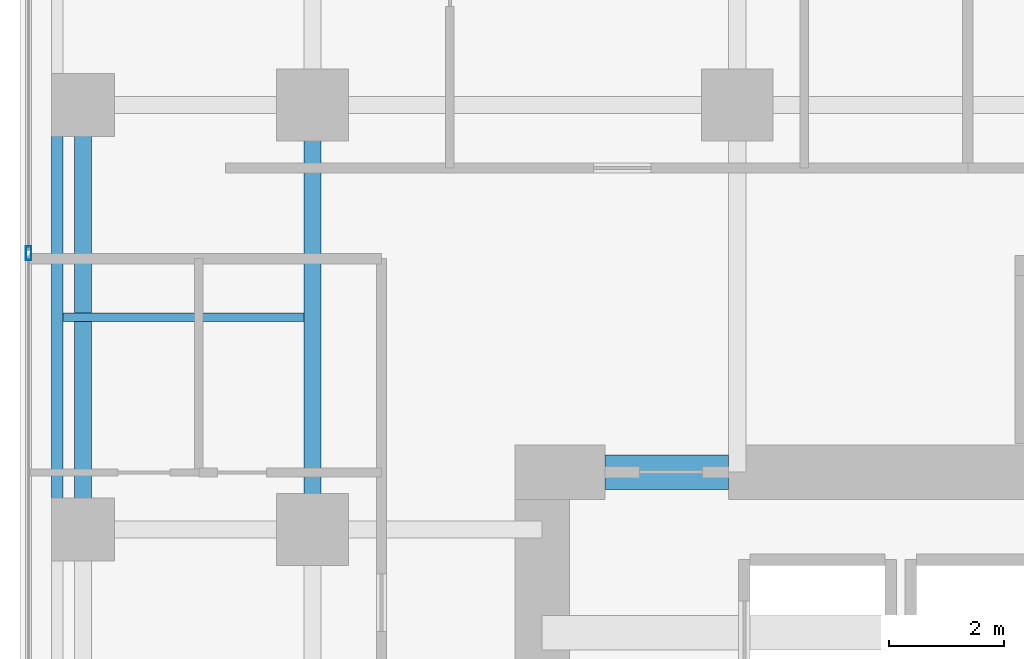
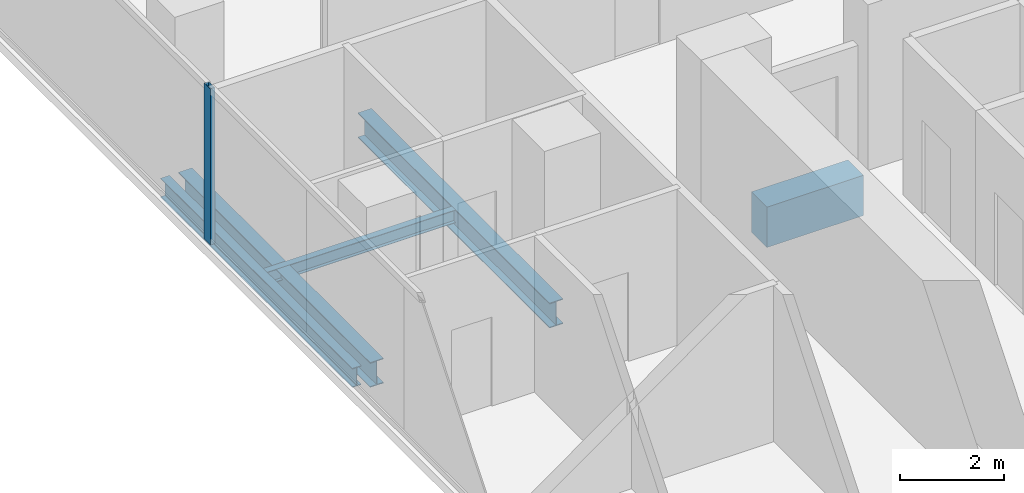
# One storey, part 7 of 26: 5 beams, 1 member, 1 element without a shape of its own.
"""IFC4 building model written with IfcOpenShell, lengths in metres."""

from ifc_helpers import new_model, si_unit, direction, frame, origin, origin_2d, place, context, subcontext, project, spatial, rectangle, hollow_rectangle, i_section, extrude, material, layer, layer_set, material_profile, profile_set, type_object, element, aggregate, save


model = new_model("IFC4")

# Units and contexts
model_context = context("Model", 3, precision=1e-05, world=origin(), true_north=direction((0.0, 1.0)))
body_context = subcontext(model_context, "Body", "Model", "MODEL_VIEW")
ifc_project = project(units=[si_unit("LENGTHUNIT", "METRE"), si_unit("AREAUNIT", "SQUARE_METRE"), si_unit("VOLUMEUNIT", "CUBIC_METRE"), si_unit("PLANEANGLEUNIT", "RADIAN"), si_unit("MASSUNIT", "GRAM", prefix="KILO")], contexts=[model_context])

# Site, building, storey
site_placement = place(None, origin())
site = spatial("IfcSite", under=ifc_project, at=site_placement, CompositionType="ELEMENT")
building_placement = place(site_placement, origin())
building = spatial("IfcBuilding", under=site, at=building_placement, Name="Khorvyn Point Tower", CompositionType="ELEMENT")
storey_placement = place(building_placement, frame((0.0, 0.0, 113.39990234375)))
storey = spatial("IfcBuildingStorey", under=building, at=storey_placement, Name="L28", CompositionType="ELEMENT", Elevation=113.39990234375)

# Curtain wall, member
ifc_material_1 = material(Name="Anodised aluminium 6063-T6 and laminated Low-E glass", Category="aluminium")
ifc_layer = layer(ifc_material_1, 0.18994140625)
ifc_layer_set = layer_set([ifc_layer], Name="Stick-Built Acoustic Curtain Wall CW-SYS-03")
curtain_wall_type = type_object("IfcCurtainWallType", Name="Stick-Built Acoustic Curtain Wall CW-SYS-03", PredefinedType="NOTDEFINED", material=ifc_layer_set)
curtain_wall_placement = place(storey_placement, origin())
curtain_wall = element("IfcCurtainWall", 1, at=curtain_wall_placement, inside=storey, type_object=curtain_wall_type, Name="Curtain Wall", PredefinedType="NOTDEFINED")
ifc_material_2 = material(Name="Anodised aluminium 6063-T6", Category="aluminium")
ifc_material_profile_1 = material_profile(ifc_material_2, hollow_rectangle(XDim=0.10009765625, YDim=0.239990234375, WallThickness=0.0048828125, at=origin_2d()))
ifc_profile_set_1 = profile_set([ifc_material_profile_1], Name="Anodised aluminium 6063-T6 ALU-MUL-100x240")
member_type = type_object("IfcMemberType", Name="Anodised Aluminium 6063-T6 Mullion ALU-MUL-100x240", PredefinedType="MULLION", material=ifc_profile_set_1)
member_placement = place(storey_placement, frame((-19.75, 12.216552734375, 0.0), z_axis=(0.0, 0.0, 1.0), x_axis=(-1.0, 0.0, 0.0)))
member = element("IfcMember", 2, at=member_placement, type_object=member_type, Name="Transom", PredefinedType="MULLION", context=body_context, shape_type="SweptSolid", body=[
    extrude(hollow_rectangle(XDim=0.10009765625, YDim=0.239990234375, WallThickness=0.0048828125, at=origin_2d()), origin(), (0.0, 0.0, 1.0), 3.68017578125),
])
aggregate(curtain_wall, [member])

# Beams
ifc_material_3 = material(Name="Concrete C50/60", Category="concrete")
ifc_material_profile_2 = material_profile(ifc_material_3, rectangle(XDim=0.60009765625, YDim=0.949951171875, at=origin_2d()))
ifc_profile_set_2 = profile_set([ifc_material_profile_2], Name="Concrete C50/60 RC600x950")
beam_type_1 = type_object("IfcBeamType", Name="Concrete C50/60 Beam RC600x950", PredefinedType="BEAM", material=ifc_profile_set_2)
beam_1_placement = place(storey_placement, frame((-9.699951171875, 8.39990234375, -0.69482421875), z_axis=(1.0, 0.0, 0.0), x_axis=(0.0, 1.0, 0.0)))
element("IfcBeam", 3, at=beam_1_placement, inside=storey, type_object=beam_type_1, Name="L28 Core Northwest Portal Coupling Beam", PredefinedType="BEAM", context=body_context, shape_type="SweptSolid", body=[
    extrude(rectangle(XDim=0.60009765625, YDim=0.949951171875, at=origin_2d()), origin(), (0.0, 0.0, 1.0), 2.14990234375),
])
ifc_material_4 = material(Name="Steel S355", Category="steel")
ifc_material_profile_3 = material_profile(ifc_material_4, i_section(OverallWidth=0.300048828125, OverallDepth=0.587890625, WebThickness=0.011962890625, FlangeThickness=0.02001953125, at=origin_2d()))
ifc_profile_set_3 = profile_set([ifc_material_profile_3], Name="Steel S355 H588x300x12x20")
beam_type_2 = type_object("IfcBeamType", Name="Steel S355 Beam H588x300x12x20", PredefinedType="BEAM", material=ifc_profile_set_3)
for number, where, z_axis, x_axis, name in (
    (4, (-14.800048828125, 7.39990234375, -0.513916015625), (0.0, 1.0, 0.0), (-1.0, 0.0, 0.0), "Beam"),
    (5, (-18.800048828125, 7.39990234375, -0.513916015625), (0.0, 1.0, 0.0), (-1.0, 0.0, 0.0), "Beam"),
):
    element("IfcBeam", number, at=place(storey_placement, frame(where, z_axis=z_axis, x_axis=x_axis)), inside=storey, type_object=beam_type_2, Name=name, PredefinedType="BEAM", context=body_context, shape_type="SweptSolid", body=[
        extrude(i_section(OverallWidth=0.300048828125, OverallDepth=0.587890625, WebThickness=0.011962890625, FlangeThickness=0.02001953125, at=origin_2d()), origin(), (0.0, 0.0, 1.0), 7.400146484375),
    ])
ifc_material_profile_4 = material_profile(ifc_material_4, i_section(OverallWidth=0.14990234375, OverallDepth=0.300048828125, WebThickness=0.006591796875, FlangeThickness=0.009033203125, at=origin_2d()))
ifc_profile_set_4 = profile_set([ifc_material_profile_4], Name="Steel S355 H300x150x6.5x9")
beam_type_3 = type_object("IfcBeamType", Name="Steel S355 Joist H300x150x6.5x9", PredefinedType="JOIST", material=ifc_profile_set_4)
beam_2_placement = place(storey_placement, frame((-19.14990234375, 11.10009765625, -0.369873046875), z_axis=(1.0, 0.0, 0.0), x_axis=(0.0, 1.0, 0.0)))
element("IfcBeam", 6, at=beam_2_placement, inside=storey, type_object=beam_type_3, Name="Beam", PredefinedType="JOIST", context=body_context, shape_type="SweptSolid", body=[
    extrude(i_section(OverallWidth=0.14990234375, OverallDepth=0.300048828125, WebThickness=0.006591796875, FlangeThickness=0.009033203125, at=origin_2d()), origin(), (0.0, 0.0, 1.0), 4.199951171875),
])
ifc_material_profile_5 = material_profile(ifc_material_4, i_section(OverallWidth=0.199951171875, OverallDepth=0.449951171875, WebThickness=0.009033203125, FlangeThickness=0.013916015625, at=origin_2d()))
ifc_profile_set_5 = profile_set([ifc_material_profile_5], Name="Steel S355 H450x200x9x14")
beam_type_4 = type_object("IfcBeamType", Name="Steel S355 Spandrel H450x200x9x14", PredefinedType="SPANDREL", material=ifc_profile_set_5)
beam_3_placement = place(storey_placement, frame((-19.25, 7.39990234375, -0.44482421875), z_axis=(0.0, 1.0, 0.0), x_axis=(-1.0, 0.0, 0.0)))
element("IfcBeam", 7, at=beam_3_placement, inside=storey, type_object=beam_type_4, Name="Beam", PredefinedType="SPANDREL", context=body_context, shape_type="SweptSolid", body=[
    extrude(i_section(OverallWidth=0.199951171875, OverallDepth=0.449951171875, WebThickness=0.009033203125, FlangeThickness=0.013916015625, at=origin_2d()), origin(), (0.0, 0.0, 1.0), 7.400146484375),
])

save(model, "model.ifc")
